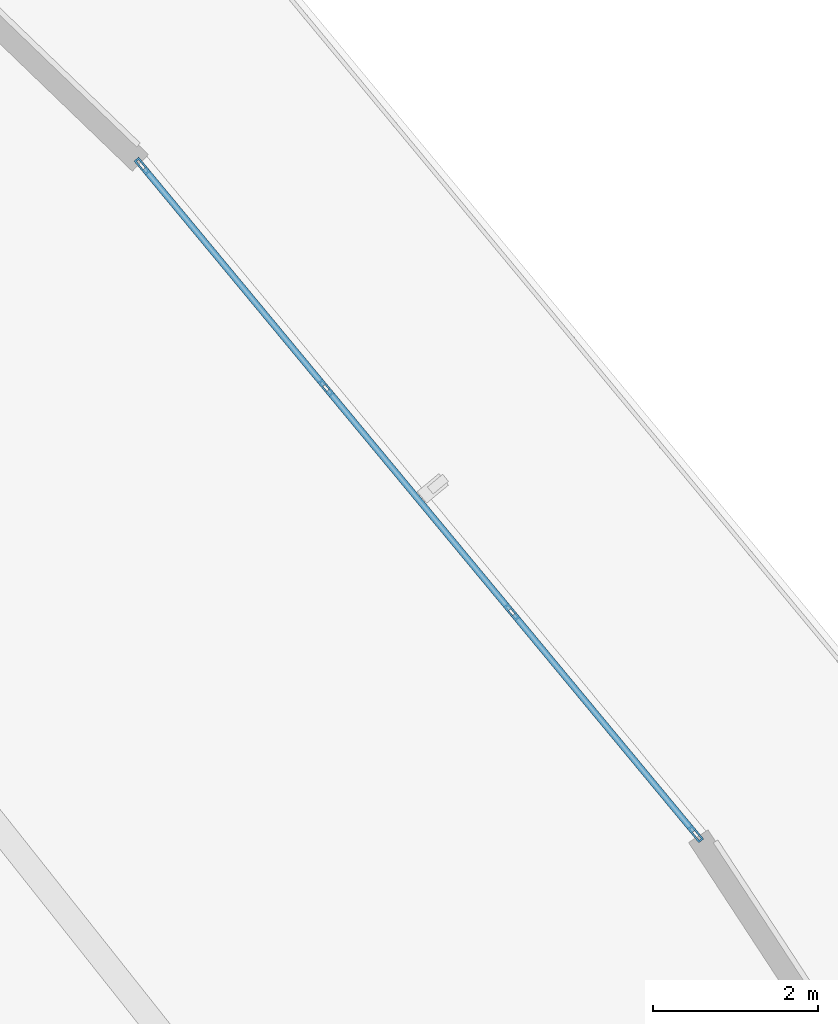
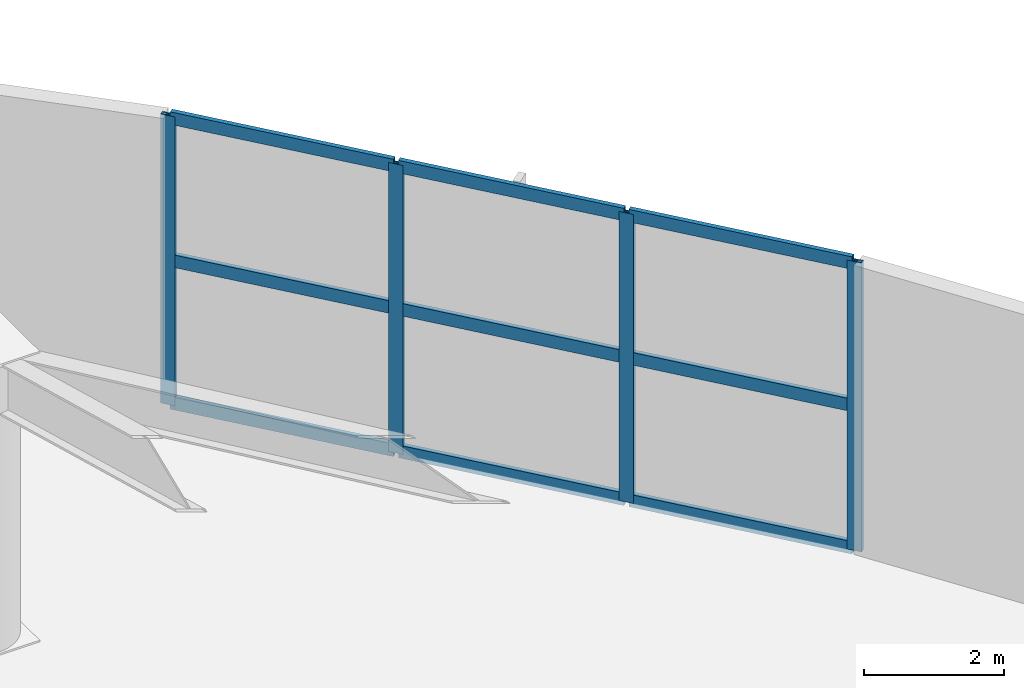
# One storey, part 8 of 25: 13 members, 1 element without a shape of its own.
"""IFC4 building model written with IfcOpenShell, lengths in metres."""

from ifc_helpers import new_model, si_unit, direction, frame, origin, origin_2d, place, context, subcontext, project, spatial, hollow_rectangle, extrude, source, transform, mapped, material, layer, layer_set, material_profile, profile_set, type_object, type_shapes, element, aggregate, save


model = new_model("IFC4")

# Units and contexts
model_context = context("Model", 3, precision=1e-05, world=origin(), true_north=direction((0.0, 1.0)))
body_context = subcontext(model_context, "Body", "Model", "MODEL_VIEW")
ifc_project = project(units=[si_unit("LENGTHUNIT", "METRE"), si_unit("AREAUNIT", "SQUARE_METRE"), si_unit("VOLUMEUNIT", "CUBIC_METRE"), si_unit("PLANEANGLEUNIT", "RADIAN"), si_unit("MASSUNIT", "GRAM", prefix="KILO")], contexts=[model_context])

# Site, building, storey
site_placement = place(None, origin())
site = spatial("IfcSite", under=ifc_project, at=site_placement, CompositionType="ELEMENT")
building_placement = place(site_placement, origin())
building = spatial("IfcBuilding", under=site, at=building_placement, Name="Tavelor Broadcast Tower", CompositionType="ELEMENT")
storey_placement = place(building_placement, frame((0.0, 0.0, 11.39990234375)))
storey = spatial("IfcBuildingStorey", under=building, at=storey_placement, Name="L02", CompositionType="ELEMENT", Elevation=11.39990234375)

# Curtain wall, members
ifc_material = material(Name="Architectural Anodized Aluminium", Category="aluminium")
ifc_layer = layer(ifc_material, 0.219970703125)
ifc_layer_set = layer_set([ifc_layer], Name="Architectural Anodized Aluminium")
curtain_wall_type = type_object("IfcCurtainWallType", Name="Podium Double-Height Broadcast Curtain Wall CW01", PredefinedType="NOTDEFINED", material=ifc_layer_set)
curtain_wall_placement = place(storey_placement, origin())
curtain_wall = element("IfcCurtainWall", 1, at=curtain_wall_placement, inside=storey, type_object=curtain_wall_type, Name="L02 Curtain Wall CW01 Run 12", PredefinedType="NOTDEFINED")
ifc_material_profile_1 = material_profile(ifc_material, hollow_rectangle(XDim=0.074951171875, YDim=0.219970703125, WallThickness=0.02197265625, at=origin_2d()), Name="RHS 75x220x22")
ifc_profile_set_1 = profile_set([ifc_material_profile_1], Name="Architectural Anodized Aluminium")
member_type_1 = type_object("IfcMemberType", Name="CW01 Extruded Aluminium Mullion 75x220", PredefinedType="MULLION", material=ifc_profile_set_1)
shared_shape_1 = source(origin(), body_context, "Body", "SweptSolid", [
    extrude(hollow_rectangle(XDim=0.074951171875, YDim=0.219970703125, WallThickness=0.02197265625, at=origin_2d()), origin(), (0.0, 0.0, 1.0), 5.050048828125),
])
type_shapes(member_type_1, [shared_shape_1])
member_1_placement = place(storey_placement, frame((68.66748046875, 68.267333984375, 0.0), z_axis=(0.0, 0.0, 1.0), x_axis=(-0.769982337126, -0.638065200833, 0.0)))
member_1 = element("IfcMember", 2, at=member_1_placement, type_object=member_type_1, Name="CW01 mullion 1", PredefinedType="MULLION", context=body_context, shape_type="MappedRepresentation", body=[
    mapped(shared_shape_1, transform((0.0, 0.0, 0.0), scale=1.0)),
])
member_2_placement = place(storey_placement, frame((66.446044921875, 70.947998046875, 0.0), z_axis=(0.0, 0.0, 1.0), x_axis=(-0.769982337126, -0.638065200833, 0.0)))
member_2 = element("IfcMember", 3, at=member_2_placement, type_object=member_type_1, Name="CW01 mullion 2", PredefinedType="MULLION", context=body_context, shape_type="MappedRepresentation", body=[
    mapped(shared_shape_1, transform((0.0, 0.0, 0.0), scale=1.0)),
])
member_3_placement = place(storey_placement, frame((64.200439453125, 73.65771484375, 0.0), z_axis=(0.0, 0.0, 1.0), x_axis=(-0.769982337126, -0.638065200833, 0.0)))
member_3 = element("IfcMember", 4, at=member_3_placement, type_object=member_type_1, Name="CW01 mullion 3", PredefinedType="MULLION", context=body_context, shape_type="MappedRepresentation", body=[
    mapped(shared_shape_1, transform((0.0, 0.0, 0.0), scale=1.0)),
])
member_4_placement = place(storey_placement, frame((61.97900390625, 76.338623046875, 0.0), z_axis=(0.0, 0.0, 1.0), x_axis=(-0.769982337126, -0.638065200833, 0.0)))
member_4 = element("IfcMember", 5, at=member_4_placement, type_object=member_type_1, Name="CW01 mullion 4", PredefinedType="MULLION", context=body_context, shape_type="MappedRepresentation", body=[
    mapped(shared_shape_1, transform((0.0, 0.0, 0.0), scale=1.0)),
])
ifc_material_profile_2 = material_profile(ifc_material, hollow_rectangle(XDim=0.074951171875, YDim=0.219970703125, WallThickness=0.02197265625, at=origin_2d()), Name="RHS 75x220x22")
ifc_profile_set_2 = profile_set([ifc_material_profile_2], Name="Architectural Anodized Aluminium")
member_type_2 = type_object("IfcMemberType", Name="CW01 Extruded Aluminium Transom 75x220", PredefinedType="USERDEFINED", material=ifc_profile_set_2)
shared_shape_2 = source(origin(), body_context, "Body", "SweptSolid", [
    extrude(hollow_rectangle(XDim=0.074951171875, YDim=0.219970703125, WallThickness=0.02197265625, at=origin_2d()), origin(), (0.0, 0.0, 1.0), 3.444091796875),
])
member_5_placement = place(storey_placement, frame((66.422119140625, 70.97705078125, 0.03759765625), z_axis=(-0.638104322255, 0.7699499165, 0.0), x_axis=(-0.7699499165, -0.638104322255, 0.0)))
member_5 = element("IfcMember", 6, at=member_5_placement, type_object=member_type_2, Name="CW01 transom 2.1", ObjectType="TRANSOM", PredefinedType="USERDEFINED", context=body_context, shape_type="MappedRepresentation", body=[
    mapped(shared_shape_2, transform((0.0, 0.0, 0.0), scale=1.0)),
])
member_6_placement = place(storey_placement, frame((66.422119140625, 70.97705078125, 2.525146484375), z_axis=(-0.638104322255, 0.7699499165, 0.0), x_axis=(-0.7699499165, -0.638104322255, 0.0)))
member_6 = element("IfcMember", 7, at=member_6_placement, type_object=member_type_2, Name="CW01 transom 2.2", ObjectType="TRANSOM", PredefinedType="USERDEFINED", context=body_context, shape_type="MappedRepresentation", body=[
    mapped(shared_shape_2, transform((0.0, 0.0, 0.0), scale=1.0)),
])
member_7_placement = place(storey_placement, frame((66.422119140625, 70.97705078125, 5.0126953125), z_axis=(-0.638104322255, 0.7699499165, 0.0), x_axis=(-0.7699499165, -0.638104322255, 0.0)))
member_7 = element("IfcMember", 8, at=member_7_placement, type_object=member_type_2, Name="CW01 transom 2.3", ObjectType="TRANSOM", PredefinedType="USERDEFINED", context=body_context, shape_type="MappedRepresentation", body=[
    mapped(shared_shape_2, transform((0.0, 0.0, 0.0), scale=1.0)),
])
shared_shape_3 = source(origin(), body_context, "Body", "SweptSolid", [
    extrude(hollow_rectangle(XDim=0.074951171875, YDim=0.219970703125, WallThickness=0.02197265625, at=origin_2d()), origin(), (0.0, 0.0, 1.0), 3.406494140625),
])
type_shapes(member_type_2, [shared_shape_2, shared_shape_3])
member_8_placement = place(storey_placement, frame((68.6435546875, 68.296142578125, 0.03759765625), z_axis=(-0.638053073283, 0.769992386764, 0.0), x_axis=(-0.769992386764, -0.638053073283, 0.0)))
member_8 = element("IfcMember", 9, at=member_8_placement, type_object=member_type_2, Name="CW01 transom 1.1", ObjectType="TRANSOM", PredefinedType="USERDEFINED", context=body_context, shape_type="MappedRepresentation", body=[
    mapped(shared_shape_3, transform((0.0, 0.0, 0.0), scale=1.0)),
])
member_9_placement = place(storey_placement, frame((68.6435546875, 68.296142578125, 2.525146484375), z_axis=(-0.638053073283, 0.769992386764, 0.0), x_axis=(-0.769992386764, -0.638053073283, 0.0)))
member_9 = element("IfcMember", 10, at=member_9_placement, type_object=member_type_2, Name="CW01 transom 1.2", ObjectType="TRANSOM", PredefinedType="USERDEFINED", context=body_context, shape_type="MappedRepresentation", body=[
    mapped(shared_shape_3, transform((0.0, 0.0, 0.0), scale=1.0)),
])
member_10_placement = place(storey_placement, frame((68.6435546875, 68.296142578125, 5.0126953125), z_axis=(-0.638053073283, 0.769992386764, 0.0), x_axis=(-0.769992386764, -0.638053073283, 0.0)))
member_10 = element("IfcMember", 11, at=member_10_placement, type_object=member_type_2, Name="CW01 transom 1.3", ObjectType="TRANSOM", PredefinedType="USERDEFINED", context=body_context, shape_type="MappedRepresentation", body=[
    mapped(shared_shape_3, transform((0.0, 0.0, 0.0), scale=1.0)),
])
member_11_placement = place(storey_placement, frame((64.176513671875, 73.6865234375, 0.03759765625), z_axis=(-0.638053073283, 0.769992386764, 0.0), x_axis=(-0.769992386764, -0.638053073283, 0.0)))
member_11 = element("IfcMember", 12, at=member_11_placement, type_object=member_type_2, Name="CW01 transom 3.1", ObjectType="TRANSOM", PredefinedType="USERDEFINED", context=body_context, shape_type="MappedRepresentation", body=[
    mapped(shared_shape_3, transform((0.0, 0.0, 0.0), scale=1.0)),
])
member_12_placement = place(storey_placement, frame((64.176513671875, 73.6865234375, 2.525146484375), z_axis=(-0.638053073283, 0.769992386764, 0.0), x_axis=(-0.769992386764, -0.638053073283, 0.0)))
member_12 = element("IfcMember", 13, at=member_12_placement, type_object=member_type_2, Name="CW01 transom 3.2", ObjectType="TRANSOM", PredefinedType="USERDEFINED", context=body_context, shape_type="MappedRepresentation", body=[
    mapped(shared_shape_3, transform((0.0, 0.0, 0.0), scale=1.0)),
])
member_13_placement = place(storey_placement, frame((64.176513671875, 73.6865234375, 5.0126953125), z_axis=(-0.638053073283, 0.769992386764, 0.0), x_axis=(-0.769992386764, -0.638053073283, 0.0)))
member_13 = element("IfcMember", 14, at=member_13_placement, type_object=member_type_2, Name="CW01 transom 3.3", ObjectType="TRANSOM", PredefinedType="USERDEFINED", context=body_context, shape_type="MappedRepresentation", body=[
    mapped(shared_shape_3, transform((0.0, 0.0, 0.0), scale=1.0)),
])
aggregate(curtain_wall, [member_1, member_2, member_3, member_4, member_8, member_9, member_10, member_5, member_6, member_7, member_11, member_12, member_13])

save(model, "model.ifc")
